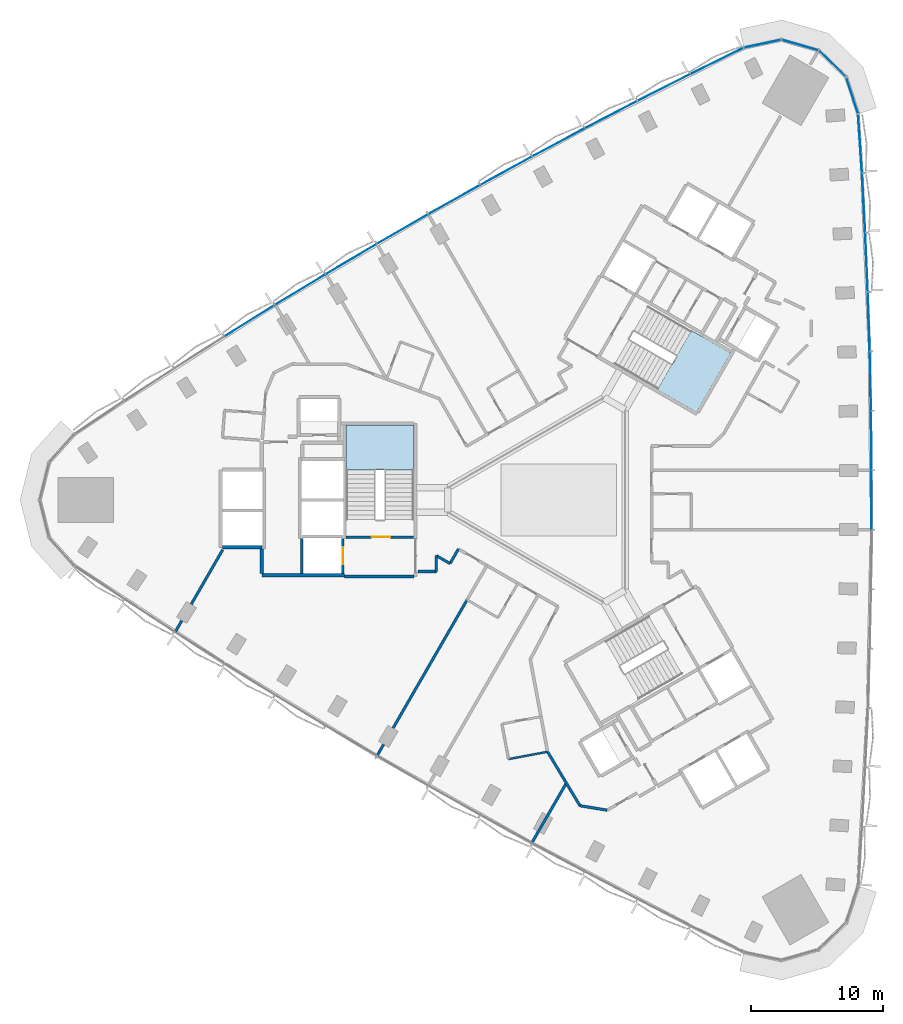
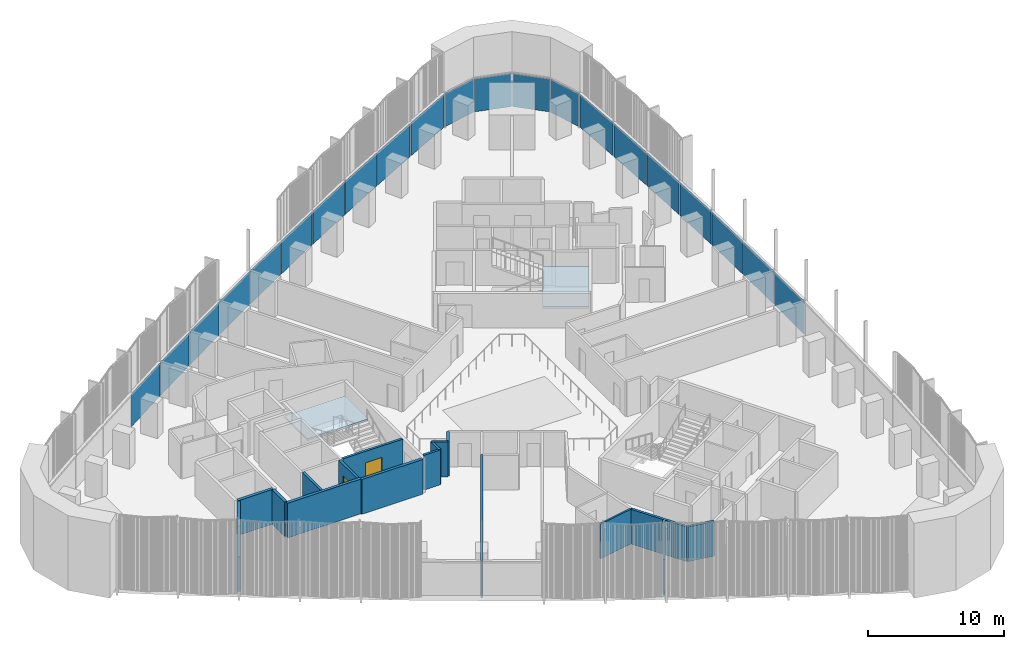
# One storey, part 7 of 15: 21 plates, 17 walls, 2 doors, 2 slabs, 2 openings, 4 elements without a shape of their own.
"""IFC4 building model written with IfcOpenShell, lengths in metres."""

from ifc_helpers import new_model, si_unit, direction, frame, frame_2d, origin, origin_2d, place, context, subcontext, project, spatial, polyline, rectangle, outline, extrude, material, layer, layer_set, type_object, element, fill, aggregate, save


model = new_model("IFC4")

# Units and contexts
model_context = context("Model", 3, precision=1e-05, world=origin(), true_north=direction((0.0, 1.0)))
body_context = subcontext(model_context, "Body", "Model", "MODEL_VIEW")
ifc_project = project(units=[si_unit("LENGTHUNIT", "METRE"), si_unit("AREAUNIT", "SQUARE_METRE"), si_unit("VOLUMEUNIT", "CUBIC_METRE"), si_unit("PLANEANGLEUNIT", "RADIAN"), si_unit("MASSUNIT", "GRAM", prefix="KILO")], contexts=[model_context])

# Site, building, storey
site_placement = place(None, origin())
site = spatial("IfcSite", under=ifc_project, at=site_placement, CompositionType="ELEMENT")
building_placement = place(site_placement, origin())
building = spatial("IfcBuilding", under=site, at=building_placement, Name="Tamra Quay Hotel Tower", CompositionType="ELEMENT")
storey_placement = place(building_placement, frame((0.0, 0.0, 35.0)))
storey = spatial("IfcBuildingStorey", under=building, at=storey_placement, Name="L06", CompositionType="ELEMENT", Elevation=35.0)

# Stair, slab
ifc_material_1 = material(Name="Exit stair 2200 24 risers 150.0 going 342")
stair_type = type_object("IfcStairType", Name="Exit stair 2200 24 risers 150.0 going 342", PredefinedType="HALF_TURN_STAIR", material=ifc_material_1)
stair_1_placement = place(storey_placement, origin())
stair_1 = element("IfcStair", 1, at=stair_1_placement, inside=storey, type_object=stair_type, Name="L06 Exit stair ST3", PredefinedType="HALF_TURN_STAIR")
ifc_material_2 = material(Name="Concrete M70", Category="concrete")
ifc_layer_1 = layer(ifc_material_2, 0.175048828125)
ifc_layer_set_1 = layer_set([ifc_layer_1], Name="Concrete M70 stair landing 180")
slab_type = type_object("IfcSlabType", Name="Concrete M70 stair landing 180", PredefinedType="LANDING", material=ifc_layer_set_1)
slab_1_placement = place(storey_placement, frame((0.0, 0.0, 1.625)))
slab_1 = element("IfcSlab", 2, at=slab_1_placement, type_object=slab_type, Name="ST3 landing 1", PredefinedType="LANDING", context=body_context, shape_type="SweptSolid", body=[
    extrude(outline(polyline([(-10.932373046875, 2.261962890625), (-10.932373046875, 5.679931640625), (-16.09130859375, 5.679931640625), (-16.09130859375, 2.261962890625), (-10.932373046875, 2.261962890625)])), origin(), (0.0, 0.0, 1.0), 0.175048828125),
])
aggregate(stair_1, [slab_1])

stair_2_placement = place(storey_placement, origin())
stair_2 = element("IfcStair", 3, at=stair_2_placement, inside=storey, type_object=stair_type, Name="L06 Exit stair ST1", PredefinedType="HALF_TURN_STAIR")
slab_2_placement = place(storey_placement, frame((0.0, 0.0, 1.625)))
slab_2 = element("IfcSlab", 4, at=slab_2_placement, type_object=slab_type, Name="ST1 landing 1", PredefinedType="LANDING", context=body_context, shape_type="SweptSolid", body=[
    extrude(outline(polyline([(7.425048828125, 8.336669921875), (10.385009765625, 6.627685546875), (12.964599609375, 11.095458984375), (10.00439453125, 12.804443359375), (7.425048828125, 8.336669921875)])), origin(), (0.0, 0.0, 1.0), 0.175048828125),
])
aggregate(stair_2, [slab_2])

# Curtain wall, plates
ifc_material_3 = material(Name="Aluminium 6063 anodised dark grey", Category="aluminium")
curtain_wall_type_1 = type_object("IfcCurtainWallType", Name="CW1 CURTAIN WALL", PredefinedType="NOTDEFINED", material=ifc_material_3)
curtain_wall_1_placement = place(storey_placement, origin())
curtain_wall_1 = element("IfcCurtainWall", 5, at=curtain_wall_1_placement, inside=storey, type_object=curtain_wall_type_1, Name="CW1 east face L06", PredefinedType="NOTDEFINED")
ifc_material_4 = material(Name="Glass clear laminated low-iron", Category="glass")
ifc_layer_2 = layer(ifc_material_4, 0.035888671875)
ifc_layer_set_2 = layer_set([ifc_layer_2], Name="GLASS PANEL CW1 Z1")
plate_type_1 = type_object("IfcPlateType", Name="GLASS PANEL CW1 Z1", PredefinedType="CURTAIN_PANEL", material=ifc_layer_set_2)
plate_1_placement = place(storey_placement, frame((23.618408203125, 0.0, 0.0), z_axis=(0.0, 0.0, 1.0), x_axis=(0.0, 1.0, 0.0)))
plate_1 = element("IfcPlate", 6, at=plate_1_placement, type_object=plate_type_1, Name="CW1 glass L06.E.7", PredefinedType="CURTAIN_PANEL", context=body_context, shape_type="SweptSolid", body=[
    extrude(rectangle(XDim=4.388671875, YDim=0.035888671875, at=origin_2d()), origin(), (0.0, 0.0, 1.0), 2.985107421875),
])
plate_2_placement = place(storey_placement, frame((23.593994140625, 4.488525390625, 0.0), z_axis=(0.0, 0.0, 1.0), x_axis=(-0.010836354168, 0.99994128499, 0.0)))
plate_2 = element("IfcPlate", 7, at=plate_2_placement, type_object=plate_type_1, Name="CW1 glass L06.E.8", PredefinedType="CURTAIN_PANEL", context=body_context, shape_type="SweptSolid", body=[
    extrude(rectangle(XDim=4.388671875, YDim=0.035888671875, at=origin_2d()), origin(), (0.0, 0.0, 1.0), 2.985107421875),
])
plate_3_placement = place(storey_placement, frame((23.52099609375, 8.97705078125, 0.0), z_axis=(0.0, 0.0, 1.0), x_axis=(-0.021657653853, 0.999765445507, 0.0)))
plate_3 = element("IfcPlate", 8, at=plate_3_placement, type_object=plate_type_1, Name="CW1 glass L06.E.9", PredefinedType="CURTAIN_PANEL", context=body_context, shape_type="SweptSolid", body=[
    extrude(rectangle(XDim=4.3896484375, YDim=0.035888671875, at=origin_2d()), origin(), (0.0, 0.0, 1.0), 2.985107421875),
])
plate_4_placement = place(storey_placement, frame((23.399658203125, 13.464599609375, 0.0), z_axis=(0.0, 0.0, 1.0), x_axis=(-0.032474671117, 0.999472558771, 0.0)))
plate_4 = element("IfcPlate", 9, at=plate_4_placement, type_object=plate_type_1, Name="CW1 glass L06.E.10", PredefinedType="CURTAIN_PANEL", context=body_context, shape_type="SweptSolid", body=[
    extrude(rectangle(XDim=4.388671875, YDim=0.035888671875, at=origin_2d()), origin(), (0.0, 0.0, 1.0), 2.985107421875),
])
plate_5_placement = place(storey_placement, frame((23.2294921875, 17.949951171875, 0.0), z_axis=(0.0, 0.0, 1.0), x_axis=(-0.04328585604, 0.999062728094, 0.0)))
plate_5 = element("IfcPlate", 10, at=plate_5_placement, type_object=plate_type_1, Name="CW1 glass L06.E.11", PredefinedType="CURTAIN_PANEL", context=body_context, shape_type="SweptSolid", body=[
    extrude(rectangle(XDim=4.388671875, YDim=0.035888671875, at=origin_2d()), origin(), (0.0, 0.0, 1.0), 2.985107421875),
])
plate_6_placement = place(storey_placement, frame((23.010986328125, 22.433837890625, 0.0), z_axis=(0.0, 0.0, 1.0), x_axis=(-0.054062166947, 0.998537571704, 0.0)))
plate_6 = element("IfcPlate", 11, at=plate_6_placement, type_object=plate_type_1, Name="CW1 glass L06.E.12", PredefinedType="CURTAIN_PANEL", context=body_context, shape_type="SweptSolid", body=[
    extrude(rectangle(XDim=4.3896484375, YDim=0.035888671875, at=origin_2d()), origin(), (0.0, 0.0, 1.0), 2.985107421875),
])
plate_7_placement = place(storey_placement, frame((22.744140625, 26.914794921875, 0.0), z_axis=(0.0, 0.0, 1.0), x_axis=(-0.064813190551, 0.997897414733, 0.0)))
plate_7 = element("IfcPlate", 12, at=plate_7_placement, type_object=plate_type_1, Name="CW1 glass L06.E.13", PredefinedType="CURTAIN_PANEL", context=body_context, shape_type="SweptSolid", body=[
    extrude(rectangle(XDim=4.38818359375, YDim=0.035888671875, at=origin_2d()), origin(), (0.0, 0.0, 1.0), 2.985107421875),
])
plate_8_placement = place(storey_placement, frame((22.1484375, 30.5400390625, 0.0), z_axis=(0.0, 0.0, 1.0), x_axis=(-0.309040551826, 0.951048861693, 0.0)))
plate_8 = element("IfcPlate", 13, at=plate_8_placement, type_object=plate_type_1, Name="CW1 glass L06.E.14", PredefinedType="CURTAIN_PANEL", context=body_context, shape_type="SweptSolid", body=[
    extrude(rectangle(XDim=2.814697265625, YDim=0.035888671875, at=origin_2d()), origin(), (0.0, 0.0, 1.0), 2.985107421875),
])
plate_9_placement = place(storey_placement, frame((20.649658203125, 32.9384765625, 0.0), z_axis=(0.0, 0.0, 1.0), x_axis=(-0.719345535851, 0.694652431113, 0.0)))
plate_9 = element("IfcPlate", 14, at=plate_9_placement, type_object=plate_type_1, Name="CW1 glass L06.E.15", PredefinedType="CURTAIN_PANEL", context=body_context, shape_type="SweptSolid", body=[
    extrude(rectangle(XDim=2.814697265625, YDim=0.035888671875, at=origin_2d()), origin(), (0.0, 0.0, 1.0), 2.985107421875),
])
plate_10_placement = place(storey_placement, frame((18.20068359375, 34.352294921875, 0.0), z_axis=(0.0, 0.0, 1.0), x_axis=(-0.96125942007, 0.275645292589, 0.0)))
plate_10 = element("IfcPlate", 15, at=plate_10_placement, type_object=plate_type_1, Name="CW1 glass L06.E.16", PredefinedType="CURTAIN_PANEL", context=body_context, shape_type="SweptSolid", body=[
    extrude(rectangle(XDim=2.814697265625, YDim=0.035888671875, at=origin_2d()), origin(), (0.0, 0.0, 1.0), 2.985107421875),
])
plate_11_placement = place(storey_placement, frame((15.374267578125, 34.451171875, 0.0), z_axis=(0.0, 0.0, 1.0), x_axis=(-0.978152750379, -0.207887462165, 0.0)))
plate_11 = element("IfcPlate", 16, at=plate_11_placement, type_object=plate_type_1, Name="CW1 glass L06.E.17", PredefinedType="CURTAIN_PANEL", context=body_context, shape_type="SweptSolid", body=[
    extrude(rectangle(XDim=2.814697265625, YDim=0.035888671875, at=origin_2d()), origin(), (0.0, 0.0, 1.0), 2.985107421875),
])
aggregate(curtain_wall_1, [plate_1, plate_2, plate_3, plate_4, plate_5, plate_6, plate_7, plate_8, plate_9, plate_10, plate_11])

curtain_wall_type_2 = type_object("IfcCurtainWallType", Name="CW2 CURTAIN WALL", PredefinedType="NOTDEFINED", material=ifc_material_3)
curtain_wall_2_placement = place(storey_placement, origin())
curtain_wall_2 = element("IfcCurtainWall", 17, at=curtain_wall_2_placement, inside=storey, type_object=curtain_wall_type_2, Name="CW2 north-west face L06", PredefinedType="NOTDEFINED")
ifc_layer_3 = layer(ifc_material_4, 0.035888671875)
ifc_layer_set_3 = layer_set([ifc_layer_3], Name="GLASS PANEL CW2 Z1")
plate_type_2 = type_object("IfcPlateType", Name="GLASS PANEL CW2 Z1", PredefinedType="CURTAIN_PANEL", material=ifc_layer_set_3)
plate_12_placement = place(storey_placement, frame((11.936767578125, 33.154541015625, 0.0), z_axis=(0.0, 0.0, 1.0), x_axis=(-0.896611106805, -0.442818837849, 0.0)))
plate_12 = element("IfcPlate", 18, at=plate_12_placement, type_object=plate_type_2, Name="CW2 glass L06.NW.1", PredefinedType="CURTAIN_PANEL", context=body_context, shape_type="SweptSolid", body=[
    extrude(rectangle(XDim=4.38818359375, YDim=0.035888671875, at=origin_2d()), origin(), (0.0, 0.0, 1.0), 2.985107421875),
])
plate_13_placement = place(storey_placement, frame((7.9228515625, 31.14501953125, 0.0), z_axis=(0.0, 0.0, 1.0), x_axis=(-0.891789987202, -0.452449575893, 0.0)))
plate_13 = element("IfcPlate", 19, at=plate_13_placement, type_object=plate_type_2, Name="CW2 glass L06.NW.2", PredefinedType="CURTAIN_PANEL", context=body_context, shape_type="SweptSolid", body=[
    extrude(rectangle(XDim=4.3896484375, YDim=0.035888671875, at=origin_2d()), origin(), (0.0, 0.0, 1.0), 2.985107421875),
])
plate_14_placement = place(storey_placement, frame((3.930419921875, 29.09228515625, 0.0), z_axis=(0.0, 0.0, 1.0), x_axis=(-0.886856630524, -0.462044713092, 0.0)))
plate_14 = element("IfcPlate", 20, at=plate_14_placement, type_object=plate_type_2, Name="CW2 glass L06.NW.3", PredefinedType="CURTAIN_PANEL", context=body_context, shape_type="SweptSolid", body=[
    extrude(rectangle(XDim=4.388671875, YDim=0.035888671875, at=origin_2d()), origin(), (0.0, 0.0, 1.0), 2.985107421875),
])
plate_15_placement = place(storey_placement, frame((-0.0390625, 26.996826171875, 0.0), z_axis=(0.0, 0.0, 1.0), x_axis=(-0.88180596184, -0.471612389218, 0.0)))
plate_15 = element("IfcPlate", 21, at=plate_15_placement, type_object=plate_type_2, Name="CW2 glass L06.NW.4", PredefinedType="CURTAIN_PANEL", context=body_context, shape_type="SweptSolid", body=[
    extrude(rectangle(XDim=4.388671875, YDim=0.035888671875, at=origin_2d()), origin(), (0.0, 0.0, 1.0), 2.985107421875),
])
plate_16_placement = place(storey_placement, frame((-3.986083984375, 24.8583984375, 0.0), z_axis=(0.0, 0.0, 1.0), x_axis=(-0.876651100562, -0.48112664433, 0.0)))
plate_16 = element("IfcPlate", 22, at=plate_16_placement, type_object=plate_type_2, Name="CW2 glass L06.NW.5", PredefinedType="CURTAIN_PANEL", context=body_context, shape_type="SweptSolid", body=[
    extrude(rectangle(XDim=4.3896484375, YDim=0.035888671875, at=origin_2d()), origin(), (0.0, 0.0, 1.0), 2.985107421875),
])
plate_17_placement = place(storey_placement, frame((-7.90966796875, 22.67724609375, 0.0), z_axis=(0.0, 0.0, 1.0), x_axis=(-0.871392732178, -0.490586084502, 0.0)))
plate_17 = element("IfcPlate", 23, at=plate_17_placement, type_object=plate_type_2, Name="CW2 glass L06.NW.6", PredefinedType="CURTAIN_PANEL", context=body_context, shape_type="SweptSolid", body=[
    extrude(rectangle(XDim=4.388671875, YDim=0.035888671875, at=origin_2d()), origin(), (0.0, 0.0, 1.0), 2.985107421875),
])
plate_18_placement = place(storey_placement, frame((-11.80908203125, 20.4541015625, 0.0), z_axis=(0.0, 0.0, 1.0), x_axis=(-0.866025403784, -0.5, 0.0)))
plate_18 = element("IfcPlate", 24, at=plate_18_placement, type_object=plate_type_2, Name="CW2 glass L06.NW.7", PredefinedType="CURTAIN_PANEL", context=body_context, shape_type="SweptSolid", body=[
    extrude(rectangle(XDim=4.388671875, YDim=0.035888671875, at=origin_2d()), origin(), (0.0, 0.0, 1.0), 2.985107421875),
])
plate_19_placement = place(storey_placement, frame((-15.684326171875, 18.188720703125, 0.0), z_axis=(0.0, 0.0, 1.0), x_axis=(-0.860556378011, -0.509355200489, 0.0)))
plate_19 = element("IfcPlate", 25, at=plate_19_placement, type_object=plate_type_2, Name="CW2 glass L06.NW.8", PredefinedType="CURTAIN_PANEL", context=body_context, shape_type="SweptSolid", body=[
    extrude(rectangle(XDim=4.388671875, YDim=0.035888671875, at=origin_2d()), origin(), (0.0, 0.0, 1.0), 2.985107421875),
])
plate_20_placement = place(storey_placement, frame((-19.534912109375, 15.88134765625, 0.0), z_axis=(0.0, 0.0, 1.0), x_axis=(-0.854993446708, -0.518638801177, 0.0)))
plate_20 = element("IfcPlate", 26, at=plate_20_placement, type_object=plate_type_2, Name="CW2 glass L06.NW.9", PredefinedType="CURTAIN_PANEL", context=body_context, shape_type="SweptSolid", body=[
    extrude(rectangle(XDim=4.3896484375, YDim=0.035888671875, at=origin_2d()), origin(), (0.0, 0.0, 1.0), 2.985107421875),
])
plate_21_placement = place(storey_placement, frame((-23.360595703125, 13.5322265625, 0.0), z_axis=(0.0, 0.0, 1.0), x_axis=(-0.849331290722, -0.527860169552, 0.0)))
plate_21 = element("IfcPlate", 27, at=plate_21_placement, type_object=plate_type_2, Name="CW2 glass L06.NW.10", PredefinedType="CURTAIN_PANEL", context=body_context, shape_type="SweptSolid", body=[
    extrude(rectangle(XDim=4.388671875, YDim=0.035888671875, at=origin_2d()), origin(), (0.0, 0.0, 1.0), 2.985107421875),
])
aggregate(curtain_wall_2, [plate_12, plate_13, plate_14, plate_15, plate_16, plate_17, plate_18, plate_19, plate_20, plate_21])

# Wall, opening, door
ifc_layer_4 = layer(ifc_material_2, 0.199951171875)
ifc_layer_set_4 = layer_set([ifc_layer_4], Name="Concrete M70 core wall 200")
wall_type_1 = type_object("IfcWallType", Name="Concrete M70 core wall 200", PredefinedType="SHEAR", material=ifc_layer_set_4)
wall_1_placement = place(storey_placement, frame((-10.96337890625, -2.800048828125, 0.0), z_axis=(0.0, 0.0, 1.0), x_axis=(-1.0, 0.0, 0.0)))
wall_1 = element("IfcWall", 28, at=wall_1_placement, inside=storey, type_object=wall_type_1, Name="CW2", PredefinedType="SHEAR", context=body_context, shape_type="SweptSolid", body=[
    extrude(rectangle(XDim=5.097900390625, YDim=0.199951171875, at=frame_2d((2.548828125, 0.0))), origin(), (0.0, 0.0, 1.0), 3.125),
])
opening_1_placement = place(wall_1_placement, frame((1.77392578125, 0.0, 0.0)))
opening_1 = element("IfcOpeningElement", 29, at=opening_1_placement, cuts=wall_1, Name="Opening FD2", PredefinedType="OPENING", context=body_context, shape_type="SweptSolid", body=[
    extrude(rectangle(XDim=1.39990234375, YDim=2.10009765625, at=frame_2d((0.699951171875, 1.050048828125))), frame((0.0, 0.10986328125, 0.0), z_axis=(0.0, -1.0, 0.0), x_axis=(1.0, 0.0, 0.0)), (0.0, 0.0, 1.0), 0.219970703125),
])
ifc_material_5 = material(Name="Core door FD2 1400x2100 LH")
door_type_1 = type_object("IfcDoorType", Name="Core door FD2 1400x2100 LH", OperationType="NOTDEFINED", PredefinedType="DOOR", material=ifc_material_5)
door_1_placement = place(opening_1_placement, origin())
door_1 = element("IfcDoor", 30, at=door_1_placement, inside=storey, type_object=door_type_1, Name="FD2", OperationType="SINGLE_SWING_LEFT", OverallHeight=2.10009765625, OverallWidth=1.39990234375, PredefinedType="DOOR", context=body_context, shape_type="SweptSolid", body=[
    extrude(rectangle(XDim=1.39990234375, YDim=2.10009765625, at=frame_2d((0.699951171875, 1.050048828125))), frame((0.0, 0.02490234375, 0.0), z_axis=(0.0, -1.0, 0.0), x_axis=(1.0, 0.0, 0.0)), (0.0, 0.0, 1.0), 0.050048828125),
])
fill(opening_1, door_1)

wall_2_placement = place(storey_placement, frame((-16.312255859375, -2.898193359375, 0.0), z_axis=(0.0, 0.0, 1.0), x_axis=(0.0, -1.0, 0.0)))
wall_2 = element("IfcWall", 31, at=wall_2_placement, inside=storey, type_object=wall_type_1, Name="CW2", PredefinedType="SHEAR", context=body_context, shape_type="SweptSolid", body=[
    extrude(rectangle(XDim=2.65087890625, YDim=0.199951171875, at=frame_2d((1.325439453125, 0.0))), origin(), (0.0, 0.0, 1.0), 3.125),
])
opening_2_placement = place(wall_2_placement, frame((0.65185546875, 0.0, 0.0)))
opening_2 = element("IfcOpeningElement", 32, at=opening_2_placement, cuts=wall_2, Name="Opening LD", PredefinedType="OPENING", context=body_context, shape_type="SweptSolid", body=[
    extrude(rectangle(XDim=1.300048828125, YDim=2.10009765625, at=frame_2d((0.64990234375, 1.050048828125))), frame((0.0, 0.10986328125, 0.0), z_axis=(0.0, -1.0, 0.0), x_axis=(1.0, 0.0, 0.0)), (0.0, 0.0, 1.0), 0.219970703125),
])
ifc_material_6 = material(Name="Landing door LD 1300 sliding to left")
door_type_2 = type_object("IfcDoorType", Name="Landing door LD 1300 sliding to left", OperationType="NOTDEFINED", PredefinedType="DOOR", material=ifc_material_6)
door_2_placement = place(opening_2_placement, origin())
door_2 = element("IfcDoor", 33, at=door_2_placement, inside=storey, type_object=door_type_2, Name="LD", OperationType="SLIDING_TO_LEFT", OverallHeight=2.10009765625, OverallWidth=1.300048828125, PredefinedType="DOOR", context=body_context, shape_type="SweptSolid", body=[
    extrude(rectangle(XDim=1.300048828125, YDim=2.10009765625, at=frame_2d((0.64990234375, 1.050048828125))), frame((0.0, 0.02490234375, 0.0), z_axis=(0.0, -1.0, 0.0), x_axis=(1.0, 0.0, 0.0)), (0.0, 0.0, 1.0), 0.050048828125),
])
fill(opening_2, door_2)

# Walls
wall_3_placement = place(storey_placement, frame((-19.412353515625, -5.549072265625, 0.0), z_axis=(0.0, 0.0, 1.0), x_axis=(0.0, 1.0, 0.0)))
element("IfcWall", 34, at=wall_3_placement, inside=storey, type_object=wall_type_1, Name="CW2", PredefinedType="SHEAR", context=body_context, shape_type="SweptSolid", body=[
    extrude(rectangle(XDim=2.65087890625, YDim=0.199951171875, at=frame_2d((1.325439453125, 0.0))), origin(), (0.0, 0.0, 1.0), 3.125),
])
ifc_layer_5 = layer(ifc_material_2, 0.25)
ifc_layer_set_5 = layer_set([ifc_layer_5], Name="Concrete M70 core wall 250")
wall_type_2 = type_object("IfcWallType", Name="Concrete M70 core wall 250", PredefinedType="SHEAR", material=ifc_layer_set_5)
wall_4_placement = place(storey_placement, frame((-16.187255859375, -5.675048828125, 0.0), z_axis=(0.0, 0.0, 1.0), x_axis=(-1.0, 0.0, 0.0)))
element("IfcWall", 35, at=wall_4_placement, inside=storey, type_object=wall_type_2, Name="CW1", PredefinedType="SHEAR", context=body_context, shape_type="SweptSolid", body=[
    extrude(rectangle(XDim=6.25, YDim=0.25, at=frame_2d((3.125, 0.0))), origin(), (0.0, 0.0, 1.0), 3.125),
])
wall_5_placement = place(storey_placement, frame((-10.962646484375, -5.77490234375, 0.0), z_axis=(0.0, 0.0, 1.0), x_axis=(-1.0, 0.0, 0.0)))
element("IfcWall", 36, at=wall_5_placement, inside=storey, type_object=wall_type_2, Name="CW1", PredefinedType="SHEAR", context=body_context, shape_type="SweptSolid", body=[
    extrude(rectangle(XDim=5.224609375, YDim=0.25, at=frame_2d((2.6123046875, 0.0))), origin(), (0.0, 0.0, 1.0), 3.125),
])
wall_6_placement = place(storey_placement, frame((-22.437255859375, -3.574951171875, 0.0), z_axis=(0.0, 0.0, 1.0), x_axis=(-1.0, 0.0, 0.0)))
element("IfcWall", 37, at=wall_6_placement, inside=storey, type_object=wall_type_2, Name="CW1", PredefinedType="SHEAR", context=body_context, shape_type="SweptSolid", body=[
    extrude(rectangle(XDim=2.974609375, YDim=0.25, at=frame_2d((1.4873046875, 0.0))), origin(), (0.0, 0.0, 1.0), 3.125),
])
wall_7_placement = place(storey_placement, frame((-22.437255859375, -5.549560546875, 0.0), z_axis=(0.0, 0.0, 1.0), x_axis=(0.0, 1.0, 0.0)))
element("IfcWall", 38, at=wall_7_placement, inside=storey, type_object=wall_type_2, Name="CW1", PredefinedType="SHEAR", context=body_context, shape_type="SweptSolid", body=[
    extrude(rectangle(XDim=1.84912109375, YDim=0.25, at=frame_2d((0.924560546875, 0.0))), origin(), (0.0, 0.0, 1.0), 3.125),
])
ifc_material_7 = material(Name="Partition corridor wall")
ifc_layer_6 = layer(ifc_material_7, 0.199951171875)
ifc_layer_set_6 = layer_set([ifc_layer_6], Name="Partition corridor wall")
wall_type_3 = type_object("IfcWallType", Name="Partition corridor wall", PredefinedType="PARTITIONING", material=ifc_layer_set_6)
wall_8_placement = place(storey_placement, frame((-10.65234375, -5.39990234375, 0.0), z_axis=(0.0, 0.0, 1.0), x_axis=(1.0, 0.0, 0.0)))
element("IfcWall", 39, at=wall_8_placement, inside=storey, type_object=wall_type_3, Name="W-C", PredefinedType="PARTITIONING", context=body_context, shape_type="SweptSolid", body=[
    extrude(rectangle(XDim=1.390380859375, YDim=0.199951171875, at=frame_2d((0.6953125, 0.0))), origin(), (0.0, 0.0, 1.0), 3.125),
])
for number, where, z_axis, x_axis, name in (
    (40, (-9.261962890625, -5.39990234375, 0.0), (0.0, 0.0, 1.0), (0.0, 1.0, 0.0), "W-C"),
    (41, (-9.261962890625, -4.199951171875, 0.0), (0.0, 0.0, 1.0), (0.865955154139, -0.50012165622, 0.0), "W-C"),
):
    element("IfcWall", number, at=place(storey_placement, frame(where, z_axis=z_axis, x_axis=x_axis)), inside=storey, type_object=wall_type_3, Name=name, PredefinedType="PARTITIONING", context=body_context, shape_type="SweptSolid", body=[
        extrude(rectangle(XDim=1.199951171875, YDim=0.199951171875, at=frame_2d((0.60009765625, 0.0))), origin(), (0.0, 0.0, 1.0), 3.125),
    ])
wall_9_placement = place(storey_placement, frame((-8.222900390625, -4.800048828125, 0.0), z_axis=(0.0, 0.0, 1.0), x_axis=(0.499866914522, 0.866102227088, 0.0)))
element("IfcWall", 42, at=wall_9_placement, inside=storey, type_object=wall_type_3, Name="W-C", PredefinedType="PARTITIONING", context=body_context, shape_type="SweptSolid", body=[
    extrude(rectangle(XDim=1.267822265625, YDim=0.199951171875, at=frame_2d((0.6337890625, 0.0))), origin(), (0.0, 0.0, 1.0), 3.125),
])
wall_10_placement = place(storey_placement, frame((-0.85791015625, -19.01708984375, 0.0), z_axis=(0.0, 0.0, 1.0), x_axis=(0.514647068805, -0.857402119528, 0.0)))
element("IfcWall", 43, at=wall_10_placement, inside=storey, type_object=wall_type_3, Name="W-C", PredefinedType="PARTITIONING", context=body_context, shape_type="SweptSolid", body=[
    extrude(rectangle(XDim=4.745361328125, YDim=0.199951171875, at=frame_2d((2.37255859375, 0.0))), origin(), (0.0, 0.0, 1.0), 3.125),
])
wall_11_placement = place(storey_placement, frame((1.583984375, -23.0859375, 0.0), z_axis=(0.0, 0.0, 1.0), x_axis=(0.986633159246, -0.162957077405, 0.0)))
element("IfcWall", 44, at=wall_11_placement, inside=storey, type_object=wall_type_3, Name="W-C", PredefinedType="PARTITIONING", context=body_context, shape_type="SweptSolid", body=[
    extrude(rectangle(XDim=2.0869140625, YDim=0.199951171875, at=frame_2d((1.04345703125, 0.0))), origin(), (0.0, 0.0, 1.0), 3.125),
])
ifc_material_8 = material(Name="Partition en-suite wall")
ifc_layer_7 = layer(ifc_material_8, 0.14990234375)
ifc_layer_set_7 = layer_set([ifc_layer_7], Name="Partition en-suite wall")
wall_type_4 = type_object("IfcWallType", Name="Partition en-suite wall", PredefinedType="PARTITIONING", material=ifc_layer_set_7)
wall_12_placement = place(storey_placement, frame((-3.806884765625, -19.56591796875, 0.0), z_axis=(0.0, 0.0, 1.0), x_axis=(0.982987155193, 0.183674311555, 0.0)))
element("IfcWall", 45, at=wall_12_placement, inside=storey, type_object=wall_type_4, Name="W-E", PredefinedType="PARTITIONING", context=body_context, shape_type="SweptSolid", body=[
    extrude(rectangle(XDim=3.0, YDim=0.14990234375, at=frame_2d((1.5, 0.0))), origin(), (0.0, 0.0, 1.0), 3.125),
])
ifc_material_9 = material(Name="Partition party wall")
ifc_layer_8 = layer(ifc_material_9, 0.199951171875)
ifc_layer_set_8 = layer_set([ifc_layer_8], Name="Partition party wall")
wall_type_5 = type_object("IfcWallType", Name="Partition party wall", PredefinedType="PARTITIONING", material=ifc_layer_set_8)
wall_13_placement = place(storey_placement, frame((-28.98046875, -9.9775390625, 0.0), z_axis=(0.0, 0.0, 1.0), x_axis=(0.500015830155, 0.866016264047, 0.0)))
element("IfcWall", 46, at=wall_13_placement, inside=storey, type_object=wall_type_5, Name="W-P", PredefinedType="PARTITIONING", context=body_context, shape_type="SweptSolid", body=[
    extrude(rectangle(XDim=7.179443359375, YDim=0.199951171875, at=frame_2d((3.58984375, 0.0))), origin(), (0.0, 0.0, 1.0), 3.125),
])
wall_14_placement = place(storey_placement, frame((-13.7421875, -19.332275390625, 0.0), z_axis=(0.0, 0.0, 1.0), x_axis=(0.499995450659, 0.866028030332, 0.0)))
element("IfcWall", 47, at=wall_14_placement, inside=storey, type_object=wall_type_5, Name="W-P", PredefinedType="PARTITIONING", context=body_context, shape_type="SweptSolid", body=[
    extrude(rectangle(XDim=13.624755859375, YDim=0.199951171875, at=frame_2d((6.8125, 0.0))), origin(), (0.0, 0.0, 1.0), 3.125),
])
wall_15_placement = place(storey_placement, frame((-2.056396484375, -25.911865234375, 0.0), z_axis=(0.0, 0.0, 1.0), x_axis=(0.499906852383, 0.866079175907, 0.0)))
element("IfcWall", 48, at=wall_15_placement, inside=storey, type_object=wall_type_5, Name="W-P", PredefinedType="PARTITIONING", context=body_context, shape_type="SweptSolid", body=[
    extrude(rectangle(XDim=5.23388671875, YDim=0.199951171875, at=frame_2d((2.616943359375, 0.0))), origin(), (0.0, 0.0, 1.0), 3.125),
])

save(model, "model.ifc")
